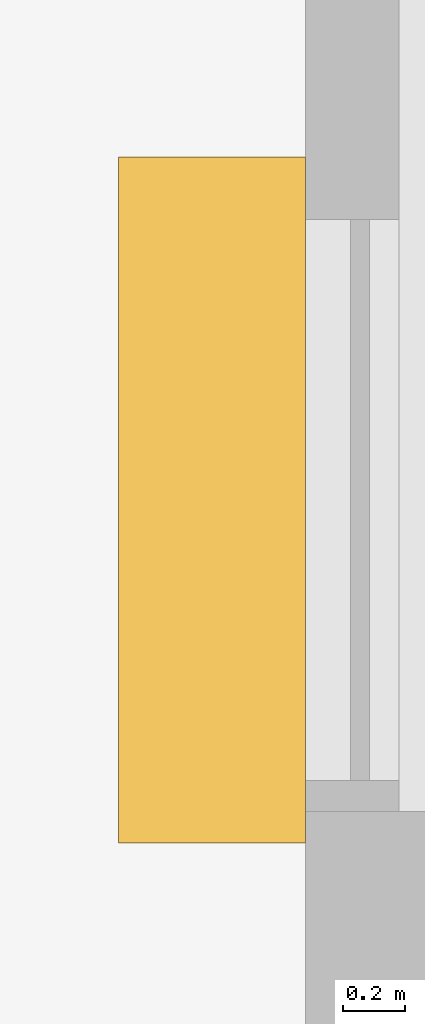
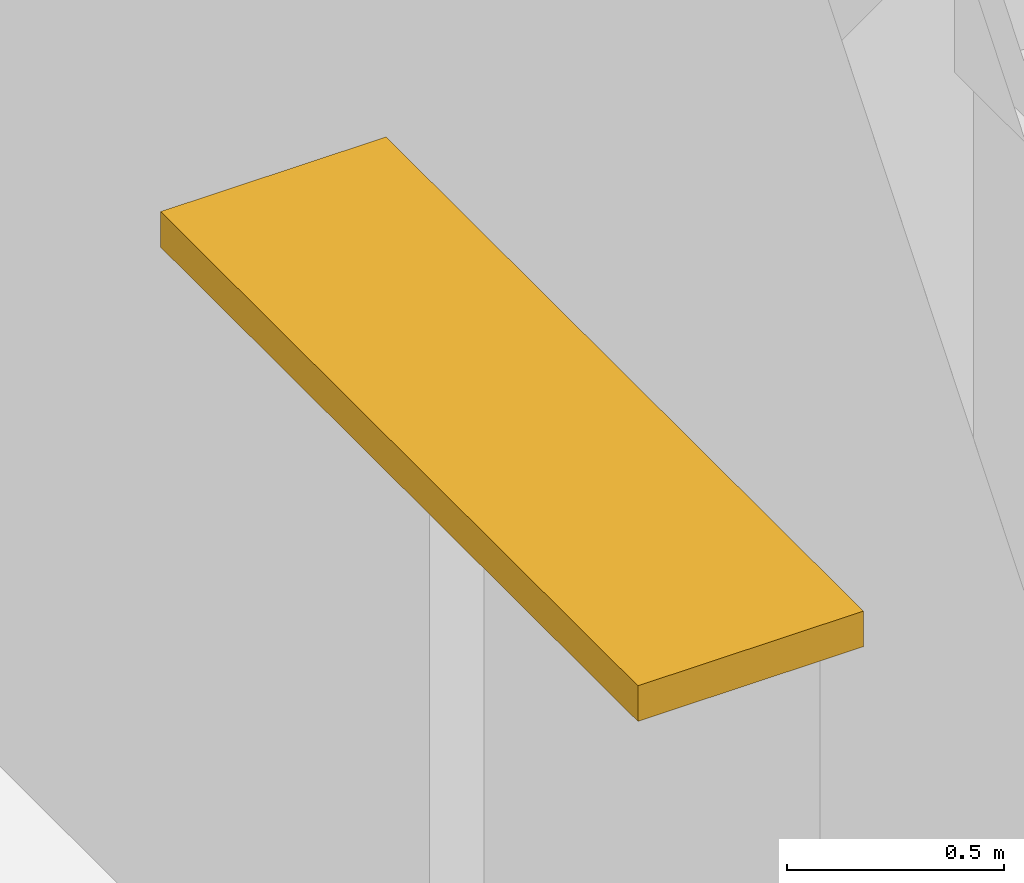
# One storey, part 10 of 12: 1 shading device.
"""IFC4 building model written with IfcOpenShell, lengths in metres."""

from ifc_helpers import new_model, si_unit, direction, frame, origin, origin_2d, place, context, subcontext, project, spatial, rectangle, extrude, material, layer, layer_set, type_object, element, save


model = new_model("IFC4")

# Units and contexts
model_context = context("Model", 3, precision=1e-05, world=origin(), true_north=direction((0.0, 1.0)))
body_context = subcontext(model_context, "Body", "Model", "MODEL_VIEW")
ifc_project = project(units=[si_unit("LENGTHUNIT", "METRE"), si_unit("AREAUNIT", "SQUARE_METRE"), si_unit("VOLUMEUNIT", "CUBIC_METRE"), si_unit("PLANEANGLEUNIT", "RADIAN"), si_unit("MASSUNIT", "GRAM", prefix="KILO")], contexts=[model_context])

# Site, building, storey
site_placement = place(None, origin())
site = spatial("IfcSite", under=ifc_project, at=site_placement, CompositionType="ELEMENT")
building_placement = place(site_placement, origin())
building = spatial("IfcBuilding", under=site, at=building_placement, Name="Dunama Terrace Hotel", CompositionType="ELEMENT")
storey_placement = place(building_placement, frame((0.0, 0.0, 22.0)))
storey = spatial("IfcBuildingStorey", under=building, at=storey_placement, Name="L04", CompositionType="ELEMENT", Elevation=22.0)

# Shading device
ifc_material = material(Name="Precast stone sunshade", Category="masonry")
ifc_layer = layer(ifc_material, 0.10009765625)
ifc_layer_set = layer_set([ifc_layer], Name="Stone sunshade 600")
shading_device_type = type_object("IfcShadingDeviceType", Name="Stone sunshade 600", PredefinedType="USERDEFINED", material=ifc_layer_set)
shading_device_placement = place(storey_placement, frame((-0.300048828125, 27.39990234375, 2.75), z_axis=(0.0, 0.0, 1.0), x_axis=(0.0, -1.0, 0.0)))
element("IfcShadingDevice", 1, at=shading_device_placement, inside=storey, type_object=shading_device_type, Name="Sunshade L04", ObjectType="SUNSHADE", PredefinedType="USERDEFINED", context=body_context, shape_type="SweptSolid", body=[
    extrude(rectangle(XDim=2.199951171875, YDim=0.60009765625, at=origin_2d()), origin(), (0.0, 0.0, 1.0), 0.10009765625),
])

save(model, "model.ifc")
